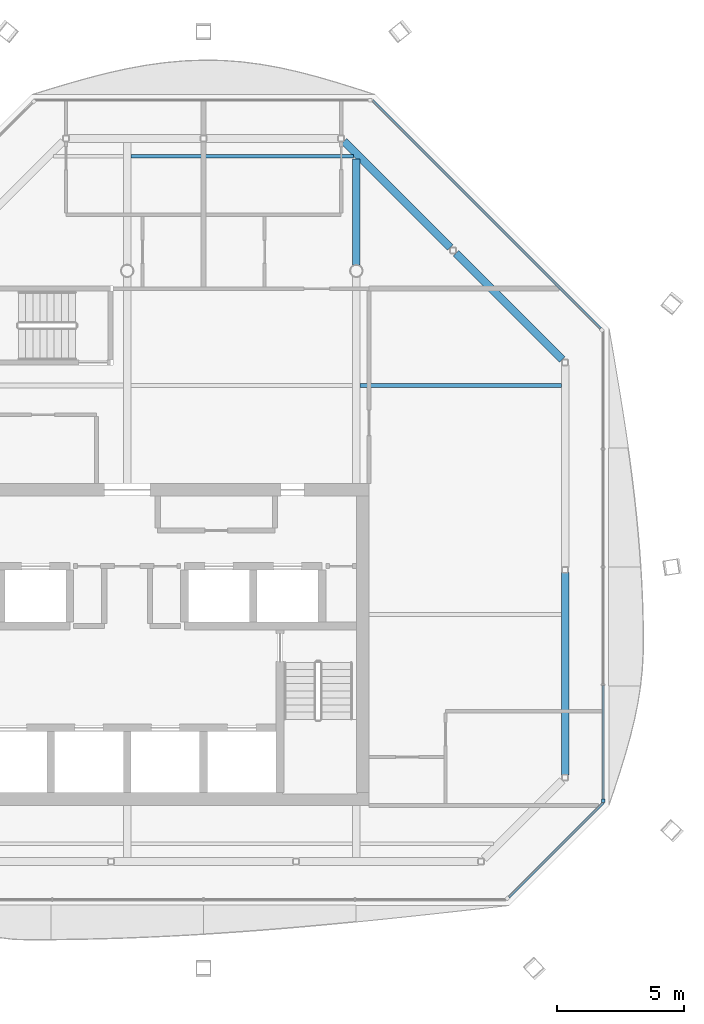
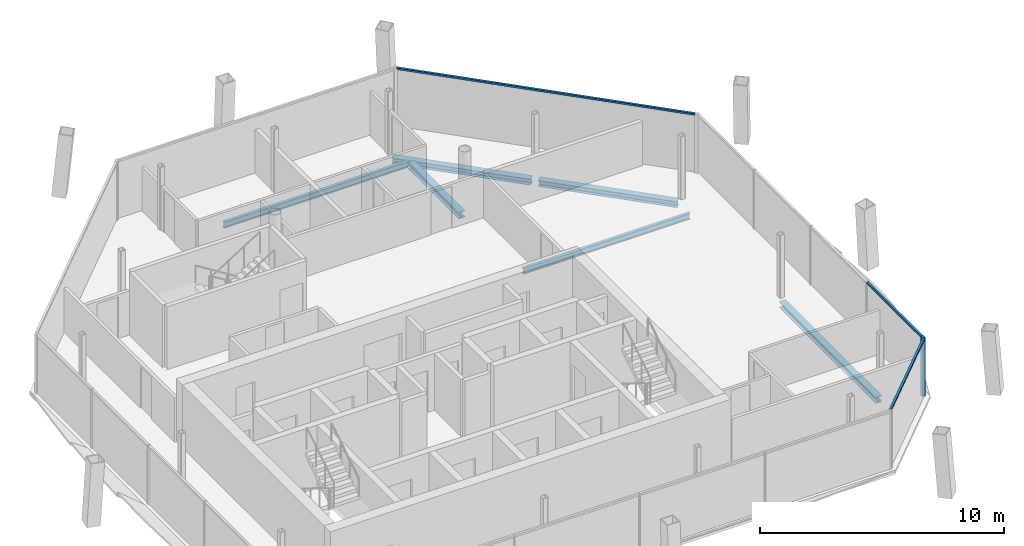
# One storey, part 6 of 13: 6 beams, 4 members, 3 elements without a shape of their own.
"""IFC4 building model written with IfcOpenShell, lengths in metres."""

from ifc_helpers import new_model, si_unit, direction, frame, origin, origin_2d, place, context, subcontext, project, spatial, rectangle, i_section, extrude, material, material_profile, profile_set, type_object, element, aggregate, save


model = new_model("IFC4")

# Units and contexts
model_context = context("Model", 3, precision=1e-05, world=origin(), true_north=direction((0.0, 1.0)))
body_context = subcontext(model_context, "Body", "Model", "MODEL_VIEW")
ifc_project = project(units=[si_unit("LENGTHUNIT", "METRE"), si_unit("AREAUNIT", "SQUARE_METRE"), si_unit("VOLUMEUNIT", "CUBIC_METRE"), si_unit("PLANEANGLEUNIT", "RADIAN"), si_unit("MASSUNIT", "GRAM", prefix="KILO")], contexts=[model_context])

# Site, building, storey
site_placement = place(None, origin())
site = spatial("IfcSite", under=ifc_project, at=site_placement, CompositionType="ELEMENT")
building_placement = place(site_placement, origin())
building = spatial("IfcBuilding", under=site, at=building_placement, Name="Tskaro Facet Tower", CompositionType="ELEMENT")
storey_placement = place(building_placement, frame((0.0, 0.0, 284.699951171875)))
storey = spatial("IfcBuildingStorey", under=building, at=storey_placement, Name="L76", CompositionType="ELEMENT", Elevation=284.699951171875)

# Curtain wall, member
ifc_material_1 = material(Name="Bronze anodised aluminium 6063-T6", Category="aluminium")
curtain_wall_type = type_object("IfcCurtainWallType", Name="Bronze residence curtain wall (FW3)", PredefinedType="NOTDEFINED", material=ifc_material_1)
curtain_wall_1_placement = place(storey_placement, origin())
curtain_wall_1 = element("IfcCurtainWall", 1, at=curtain_wall_1_placement, inside=storey, type_object=curtain_wall_type, Name="FW3 east facet L76", PredefinedType="NOTDEFINED")
ifc_material_profile_1 = material_profile(ifc_material_1, rectangle(XDim=0.139892578125, YDim=0.139892578125, at=origin_2d()), Name="Corner post 140x140")
ifc_profile_set_1 = profile_set([ifc_material_profile_1], Name="Bronze anodised aluminium 6063-T6")
member_type_1 = type_object("IfcMemberType", Name="FW3 bronze corner post 140x140", PredefinedType="MULLION", material=ifc_profile_set_1)
member_1_placement = place(storey_placement, frame((18.697998046875, -11.81689453125, 0.0), z_axis=(0.0, 0.0, 1.0), x_axis=(0.0, 1.0, 0.0)))
member_1 = element("IfcMember", 2, at=member_1_placement, type_object=member_type_1, Name="FW3 east corner post", PredefinedType="MULLION", context=body_context, shape_type="SweptSolid", body=[
    extrude(rectangle(XDim=0.139892578125, YDim=0.139892578125, at=origin_2d()), origin(), (0.0, 0.0, 1.0), 2.949951171875),
])

curtain_wall_2_placement = place(storey_placement, origin())
curtain_wall_2 = element("IfcCurtainWall", 3, at=curtain_wall_2_placement, inside=storey, type_object=curtain_wall_type, Name="FW3 south-east facet L76", PredefinedType="NOTDEFINED")
ifc_material_profile_2 = material_profile(ifc_material_1, rectangle(XDim=0.10009765625, YDim=0.090087890625, at=origin_2d()), Name="Transom 100x90")
ifc_profile_set_2 = profile_set([ifc_material_profile_2], Name="Bronze anodised aluminium 6063-T6")
member_type_2 = type_object("IfcMemberType", Name="FW3 bronze transom 100x90", PredefinedType="USERDEFINED", material=ifc_profile_set_2)
member_2_placement = place(storey_placement, frame((14.986083984375, -15.59912109375, 2.905029296875), z_axis=(0.707083527597, 0.707130034012, 0.0), x_axis=(-0.707130034012, 0.707083527597, 0.0)))
member_2 = element("IfcMember", 4, at=member_2_placement, type_object=member_type_2, Name="FW3 south-east transom 1.1", ObjectType="TRANSOM", PredefinedType="USERDEFINED", context=body_context, shape_type="SweptSolid", body=[
    extrude(rectangle(XDim=0.10009765625, YDim=0.090087890625, at=origin_2d()), origin(), (0.0, 0.0, 1.0), 5.24951171875),
])
aggregate(curtain_wall_2, [member_2])

# Member
member_3_placement = place(storey_placement, frame((18.697998046875, -11.7470703125, 2.905029296875), z_axis=(0.0, 1.0, 0.0), x_axis=(-1.0, 0.0, 0.0)))
member_3 = element("IfcMember", 5, at=member_3_placement, type_object=member_type_2, Name="FW3 east transom 1.1", ObjectType="TRANSOM", PredefinedType="USERDEFINED", context=body_context, shape_type="SweptSolid", body=[
    extrude(rectangle(XDim=0.10009765625, YDim=0.090087890625, at=origin_2d()), origin(), (0.0, 0.0, 1.0), 4.46337890625),
])

aggregate(curtain_wall_1, [member_1, member_3])

# Curtain wall, member
curtain_wall_3_placement = place(storey_placement, origin())
curtain_wall_3 = element("IfcCurtainWall", 6, at=curtain_wall_3_placement, inside=storey, type_object=curtain_wall_type, Name="FW3 north-east facet L76", PredefinedType="NOTDEFINED")
member_4_placement = place(storey_placement, frame((18.59912109375, 6.72509765625, 2.905029296875), z_axis=(-0.707116400705, 0.707097161537, 0.0), x_axis=(-0.707097161537, -0.707116400705, 0.0)))
member_4 = element("IfcMember", 7, at=member_4_placement, type_object=member_type_2, Name="FW3 north-east transom 1.1", ObjectType="TRANSOM", PredefinedType="USERDEFINED", context=body_context, shape_type="SweptSolid", body=[
    extrude(rectangle(XDim=0.10009765625, YDim=0.090087890625, at=origin_2d()), origin(), (0.0, 0.0, 1.0), 12.689697265625),
])
aggregate(curtain_wall_3, [member_4])

# Beams
ifc_material_2 = material(Name="Steel S355J2", Category="steel")
ifc_material_profile_3 = material_profile(ifc_material_2, i_section(OverallWidth=0.300048828125, OverallDepth=0.300048828125, WebThickness=0.010986328125, FlangeThickness=0.01904296875, FilletRadius=0.027099609375, at=origin_2d()), Name="HE 300 B")
ifc_profile_set_3 = profile_set([ifc_material_profile_3], Name="Steel S355J2")
beam_type_1 = type_object("IfcBeamType", Name="HE 300 B ring beam", PredefinedType="BEAM", material=ifc_profile_set_3)
beam_1_placement = place(storey_placement, frame((17.199951171875, -10.798095703125, -0.2900390625), z_axis=(0.0, 1.0, 0.0), x_axis=(-1.0, 0.0, 0.0)))
element("IfcBeam", 8, at=beam_1_placement, inside=storey, type_object=beam_type_1, Name="HE 300 B EB5-6", PredefinedType="BEAM", context=body_context, shape_type="SweptSolid", body=[
    extrude(i_section(OverallWidth=0.300048828125, OverallDepth=0.300048828125, WebThickness=0.010986328125, FlangeThickness=0.01904296875, FilletRadius=0.027099609375, at=origin_2d()), origin(), (0.0, 0.0, 1.0), 7.943115234375),
])
for number, where, z_axis, x_axis, name in (
    (9, (17.089111328125, 5.513916015625, -0.2900390625), (-0.707024112481, 0.707189440228, 0.0), (-0.707189440228, -0.707024112481, 0.0), "HE 300 B EB7-6"),
    (10, (12.691162109375, 9.912841796875, -0.2900390625), (-0.707189440228, 0.707024112481, 0.0), (-0.707024112481, -0.707189440228, 0.0), "HE 300 B EB8-6"),
):
    element("IfcBeam", number, at=place(storey_placement, frame(where, z_axis=z_axis, x_axis=x_axis)), inside=storey, type_object=beam_type_1, Name=name, PredefinedType="BEAM", context=body_context, shape_type="SweptSolid", body=[
        extrude(i_section(OverallWidth=0.300048828125, OverallDepth=0.300048828125, WebThickness=0.010986328125, FlangeThickness=0.01904296875, FilletRadius=0.027099609375, at=origin_2d()), origin(), (0.0, 0.0, 1.0), 5.90673828125),
    ])
ifc_material_profile_4 = material_profile(ifc_material_2, i_section(OverallWidth=0.300048828125, OverallDepth=0.330078125, WebThickness=0.009521484375, FlangeThickness=0.0166015625, FilletRadius=0.027099609375, at=origin_2d()), Name="HE 340 A")
ifc_profile_set_4 = profile_set([ifc_material_profile_4], Name="Steel S355J2")
beam_type_2 = type_object("IfcBeamType", Name="HE 340 A girder", PredefinedType="BEAM", material=ifc_profile_set_4)
beam_2_placement = place(storey_placement, frame((9.0, 9.22412109375, -0.304931640625), z_axis=(0.0, 1.0, 0.0), x_axis=(-1.0, 0.0, 0.0)))
element("IfcBeam", 11, at=beam_2_placement, inside=storey, type_object=beam_type_2, Name="HE 340 A GB5-3-6", PredefinedType="BEAM", context=body_context, shape_type="SweptSolid", body=[
    extrude(i_section(OverallWidth=0.300048828125, OverallDepth=0.330078125, WebThickness=0.009521484375, FlangeThickness=0.0166015625, FilletRadius=0.027099609375, at=origin_2d()), origin(), (0.0, 0.0, 1.0), 4.1669921875),
])
ifc_material_profile_5 = material_profile(ifc_material_2, i_section(OverallWidth=0.14990234375, OverallDepth=0.300048828125, WebThickness=0.007080078125, FlangeThickness=0.0107421875, FilletRadius=0.014892578125, at=origin_2d()), Name="IPE 300")
ifc_profile_set_5 = profile_set([ifc_material_profile_5], Name="Steel S355J2")
beam_type_3 = type_object("IfcBeamType", Name="IPE 300 secondary beam", PredefinedType="BEAM", material=ifc_profile_set_5)
beam_3_placement = place(storey_placement, frame((9.14990234375, 4.5, -0.2900390625), z_axis=(1.0, 0.0, 0.0), x_axis=(0.0, 1.0, 0.0)))
element("IfcBeam", 12, at=beam_3_placement, inside=storey, type_object=beam_type_3, Name="IPE 300 SB4a-3-6", PredefinedType="BEAM", context=body_context, shape_type="SweptSolid", body=[
    extrude(i_section(OverallWidth=0.14990234375, OverallDepth=0.300048828125, WebThickness=0.007080078125, FlangeThickness=0.0107421875, FilletRadius=0.014892578125, at=origin_2d()), origin(), (0.0, 0.0, 1.0), 7.900146484375),
])
beam_4_placement = place(storey_placement, frame((0.14990234375, 13.5, -0.2900390625), z_axis=(1.0, 0.0, 0.0), x_axis=(0.0, 1.0, 0.0)))
element("IfcBeam", 13, at=beam_4_placement, inside=storey, type_object=beam_type_3, Name="IPE 300 SB5a-2-6", PredefinedType="BEAM", context=body_context, shape_type="SweptSolid", body=[
    extrude(i_section(OverallWidth=0.14990234375, OverallDepth=0.300048828125, WebThickness=0.007080078125, FlangeThickness=0.0107421875, FilletRadius=0.014892578125, at=origin_2d()), origin(), (0.0, 0.0, 1.0), 8.7412109375),
])

save(model, "model.ifc")
